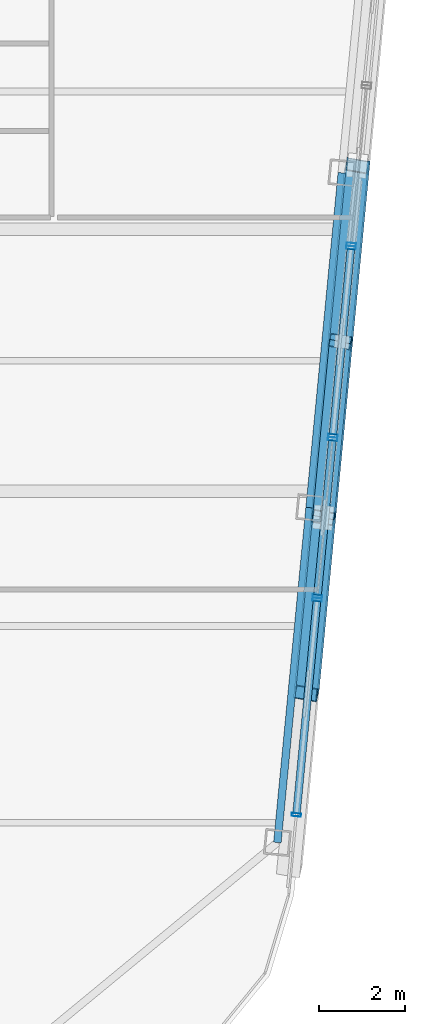
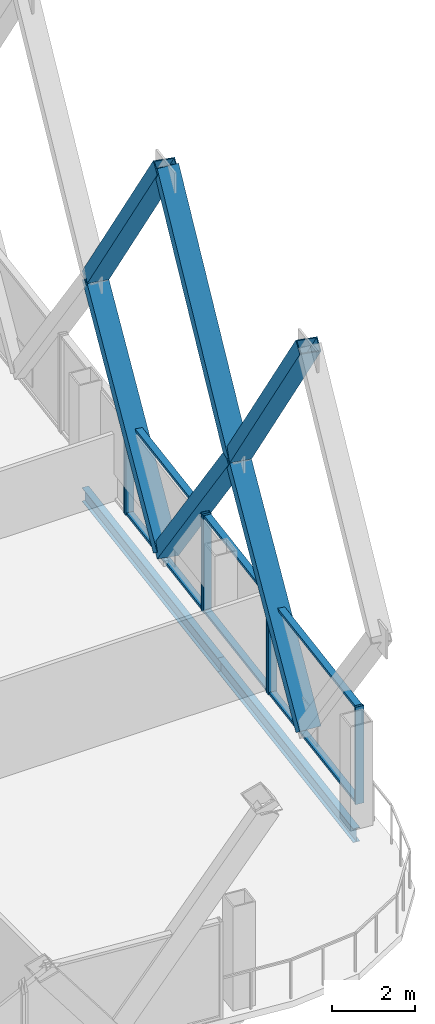
# One storey, part 13 of 25: 19 members, 2 beams, 4 elements without a shape of their own.
"""IFC4 building model written with IfcOpenShell, lengths in metres."""

from ifc_helpers import new_model, si_unit, direction, frame, origin, origin_2d, place, context, subcontext, project, spatial, hollow_rectangle, i_section, extrude, material, layer, layer_set, material_profile, profile_set, type_object, element, aggregate, save


model = new_model("IFC4")

# Units and contexts
model_context = context("Model", 3, precision=1e-05, world=origin(), true_north=direction((0.0, 1.0)))
body_context = subcontext(model_context, "Body", "Model", "MODEL_VIEW")
ifc_project = project(units=[si_unit("LENGTHUNIT", "METRE"), si_unit("AREAUNIT", "SQUARE_METRE"), si_unit("VOLUMEUNIT", "CUBIC_METRE"), si_unit("PLANEANGLEUNIT", "RADIAN"), si_unit("MASSUNIT", "GRAM", prefix="KILO")], contexts=[model_context])

# Site, building, storey
site_placement = place(None, origin())
site = spatial("IfcSite", under=ifc_project, at=site_placement, CompositionType="ELEMENT")
building_placement = place(site_placement, origin())
building = spatial("IfcBuilding", under=site, at=building_placement, Name="Qhalaya Broadcast Tower", CompositionType="ELEMENT")
storey_placement = place(building_placement, frame((0.0, 0.0, 255.050048828125)))
storey = spatial("IfcBuildingStorey", under=building, at=storey_placement, Name="L75", CompositionType="ELEMENT", Elevation=255.050048828125)

# Members
ifc_material_1 = material(Name="Structural Steel ASTM A572 Grade 50", Category="steel")
ifc_material_profile_1 = material_profile(ifc_material_1, hollow_rectangle(XDim=0.3798828125, YDim=0.550048828125, WallThickness=0.02490234375, at=origin_2d()), Name="BOX 380x550x25")
ifc_profile_set_1 = profile_set([ifc_material_profile_1], Name="Structural Steel ASTM A572 Grade 50")
member_type_1 = type_object("IfcMemberType", Name="Exoskeleton Diamond Diagonal Upper EX4", PredefinedType="BRACE", material=ifc_profile_set_1)
member_1_placement = place(storey_placement, frame((20.505615234375, -13.478515625, 0.35986328125), z_axis=(0.058266125563, 0.605364209609, 0.793813096602), x_axis=(-0.171107534, -0.777341068105, 0.605361937725)))
element("IfcMember", 1, at=member_1_placement, inside=storey, type_object=member_type_1, Name="B6 Exoskeleton Diamond Brace E1-D2", PredefinedType="BRACE", context=body_context, shape_type="SweptSolid", body=[
    extrude(hollow_rectangle(XDim=0.3798828125, YDim=0.550048828125, WallThickness=0.02490234375, at=origin_2d()), origin(), (0.0, 0.0, 1.0), 6.79638671875),
])
member_2_placement = place(storey_placement, frame((20.901611328125, -9.3642578125, 5.7548828125), z_axis=(-0.055127452373, -0.572754517502, 0.817871155303), x_axis=(0.17340185175, 0.801178209115, 0.572752368)))
element("IfcMember", 2, at=member_2_placement, inside=storey, type_object=member_type_1, Name="B6 Exoskeleton Diamond Brace E1-D4", PredefinedType="BRACE", context=body_context, shape_type="SweptSolid", body=[
    extrude(hollow_rectangle(XDim=0.3798828125, YDim=0.550048828125, WallThickness=0.02490234375, at=origin_2d()), origin(), (0.0, 0.0, 1.0), 7.183349609375),
])
for number, where, z_axis, x_axis, name in (
    (3, (21.2978515625, -5.25, 0.35986328125), (-0.058301925892, -0.605362942159, 0.793811434597), (0.171153078973, 0.777329359739, 0.60536409709), "B6 Exoskeleton Diamond Brace E2-D1"),
    (4, (21.2978515625, -5.25, 0.35986328125), (0.058300658059, 0.60538569949, 0.793794172392), (-0.171147030491, -0.777313225214, 0.605386524347), "B6 Exoskeleton Diamond Brace E2-D2"),
):
    element("IfcMember", number, at=place(storey_placement, frame(where, z_axis=z_axis, x_axis=x_axis)), inside=storey, type_object=member_type_1, Name=name, PredefinedType="BRACE", context=body_context, shape_type="SweptSolid", body=[
        extrude(hollow_rectangle(XDim=0.3798828125, YDim=0.550048828125, WallThickness=0.02490234375, at=origin_2d()), origin(), (0.0, 0.0, 1.0), 6.79638671875),
    ])
for number, where, z_axis, x_axis, name in (
    (5, (20.901611328125, -9.3642578125, 5.7548828125), (0.055161336321, 0.572753444041, 0.817869622443), (-0.17344881055, -0.801166493771, 0.572754536758), "B6 Exoskeleton Diamond Brace E2-D3"),
    (6, (21.694091796875, -1.135498046875, 5.7548828125), (-0.055160262532, -0.572776281238, 0.817853701519), (0.173442755081, 0.801151701204, 0.572777061664), "B6 Exoskeleton Diamond Brace E2-D4"),
):
    element("IfcMember", number, at=place(storey_placement, frame(where, z_axis=z_axis, x_axis=x_axis)), inside=storey, type_object=member_type_1, Name=name, PredefinedType="BRACE", context=body_context, shape_type="SweptSolid", body=[
        extrude(hollow_rectangle(XDim=0.3798828125, YDim=0.550048828125, WallThickness=0.02490234375, at=origin_2d()), origin(), (0.0, 0.0, 1.0), 7.183349609375),
    ])

# Curtain wall, members
ifc_material_2 = material(Name="Fired Architectural Terracotta", Category="masonry")
ifc_layer_1 = layer(ifc_material_2, 0.219970703125, Name="Fired Architectural Terracotta")
ifc_layer_set_1 = layer_set([ifc_layer_1], Name="Fired Architectural Terracotta")
curtain_wall_type_1 = type_object("IfcCurtainWallType", Name="Block-Cap Unitised Terracotta Spandrel Wall CW-07", PredefinedType="NOTDEFINED", material=ifc_layer_set_1)
curtain_wall_1_placement = place(storey_placement, origin())
curtain_wall_1 = element("IfcCurtainWall", 7, at=curtain_wall_1_placement, inside=storey, type_object=curtain_wall_type_1, Name="L75 Unitised Curtain Wall L75-CW-E1", PredefinedType="NOTDEFINED")
ifc_material_3 = material(Name="Anodised Aluminium 6063-T6", Category="aluminium")
ifc_material_profile_2 = material_profile(ifc_material_3, hollow_rectangle(XDim=0.074951171875, YDim=0.219970703125, WallThickness=0.00390625, at=origin_2d()), Name="ALU-MUL 75x220x4")
ifc_profile_set_2 = profile_set([ifc_material_profile_2], Name="Anodised Aluminium 6063-T6")
member_type_2 = type_object("IfcMemberType", Name="Unitised Curtain-Wall Mullion M01", PredefinedType="MULLION", material=ifc_profile_set_2)
member_3_placement = place(storey_placement, frame((20.272705078125, -16.315185546875, 0.0), z_axis=(0.0, 0.0, 1.0), x_axis=(0.095847607498, 0.995396019751, 0.0)))
member_3 = element("IfcMember", 8, at=member_3_placement, type_object=member_type_2, Name="CW-07 mullion 1", PredefinedType="MULLION", context=body_context, shape_type="SweptSolid", body=[
    extrude(hollow_rectangle(XDim=0.074951171875, YDim=0.219970703125, WallThickness=0.00390625, at=origin_2d()), origin(), (0.0, 0.0, 1.0), 2.85986328125),
])
member_4_placement = place(storey_placement, frame((20.757080078125, -11.283447265625, 0.0), z_axis=(0.0, 0.0, 1.0), x_axis=(0.095847607498, 0.995396019751, 0.0)))
member_4 = element("IfcMember", 9, at=member_4_placement, type_object=member_type_2, Name="CW-07 mullion 2", PredefinedType="MULLION", context=body_context, shape_type="SweptSolid", body=[
    extrude(hollow_rectangle(XDim=0.074951171875, YDim=0.219970703125, WallThickness=0.00390625, at=origin_2d()), origin(), (0.0, 0.0, 1.0), 2.85986328125),
])

ifc_material_4 = material(Name="Solar-Control Low-E Triple Glazing", Category="glass")
ifc_layer_2 = layer(ifc_material_4, 0.219970703125, Name="Solar-Control Low-E Triple Glazing")
ifc_layer_set_2 = layer_set([ifc_layer_2], Name="Solar-Control Low-E Triple Glazing")
curtain_wall_type_2 = type_object("IfcCurtainWallType", Name="High-Altitude Upper-Shaft Triple Low-E Curtain Wall CW-04", PredefinedType="NOTDEFINED", material=ifc_layer_set_2)
curtain_wall_2_placement = place(storey_placement, origin())
curtain_wall_2 = element("IfcCurtainWall", 10, at=curtain_wall_2_placement, inside=storey, type_object=curtain_wall_type_2, Name="L75 Unitised Curtain Wall L75-CW-E2", PredefinedType="NOTDEFINED")
member_5_placement = place(storey_placement, frame((20.764404296875, -11.208740234375, 0.0), z_axis=(0.0, 0.0, 1.0), x_axis=(0.095839673292, 0.995396783712, 0.0)))
member_5 = element("IfcMember", 11, at=member_5_placement, type_object=member_type_2, Name="CW-04 mullion 1", PredefinedType="MULLION", context=body_context, shape_type="SweptSolid", body=[
    extrude(hollow_rectangle(XDim=0.074951171875, YDim=0.219970703125, WallThickness=0.00390625, at=origin_2d()), origin(), (0.0, 0.0, 1.0), 2.85986328125),
])
member_6_placement = place(storey_placement, frame((21.11865234375, -7.52783203125, 0.0), z_axis=(0.0, 0.0, 1.0), x_axis=(0.095839673292, 0.995396783712, 0.0)))
member_6 = element("IfcMember", 12, at=member_6_placement, type_object=member_type_2, Name="CW-04 mullion 2", PredefinedType="MULLION", context=body_context, shape_type="SweptSolid", body=[
    extrude(hollow_rectangle(XDim=0.074951171875, YDim=0.219970703125, WallThickness=0.00390625, at=origin_2d()), origin(), (0.0, 0.0, 1.0), 2.85986328125),
])

curtain_wall_3_placement = place(storey_placement, origin())
curtain_wall_3 = element("IfcCurtainWall", 13, at=curtain_wall_3_placement, inside=storey, type_object=curtain_wall_type_1, Name="L75 Unitised Curtain Wall L75-CW-E3", PredefinedType="NOTDEFINED")
member_7_placement = place(storey_placement, frame((21.1259765625, -7.453125, 0.0), z_axis=(0.0, 0.0, 1.0), x_axis=(0.09586123001, 0.995394707933, 0.0)))
member_7 = element("IfcMember", 14, at=member_7_placement, type_object=member_type_2, Name="CW-07 mullion 1", PredefinedType="MULLION", context=body_context, shape_type="SweptSolid", body=[
    extrude(hollow_rectangle(XDim=0.074951171875, YDim=0.219970703125, WallThickness=0.00390625, at=origin_2d()), origin(), (0.0, 0.0, 1.0), 2.85986328125),
])
member_8_placement = place(storey_placement, frame((21.549560546875, -3.054443359375, 0.0), z_axis=(0.0, 0.0, 1.0), x_axis=(0.09586123001, 0.995394707933, 0.0)))
member_8 = element("IfcMember", 15, at=member_8_placement, type_object=member_type_2, Name="CW-07 mullion 2", PredefinedType="MULLION", context=body_context, shape_type="SweptSolid", body=[
    extrude(hollow_rectangle(XDim=0.074951171875, YDim=0.219970703125, WallThickness=0.00390625, at=origin_2d()), origin(), (0.0, 0.0, 1.0), 2.85986328125),
])

# Curtain wall, member
curtain_wall_4_placement = place(storey_placement, origin())
curtain_wall_4 = element("IfcCurtainWall", 16, at=curtain_wall_4_placement, inside=storey, type_object=curtain_wall_type_2, Name="L75 Unitised Curtain Wall L75-CW-E4", PredefinedType="NOTDEFINED")
member_9_placement = place(storey_placement, frame((21.556640625, -2.979736328125, 0.0), z_axis=(0.0, 0.0, 1.0), x_axis=(0.095839673292, 0.995396783712, 0.0)))
member_9 = element("IfcMember", 17, at=member_9_placement, type_object=member_type_2, Name="CW-04 mullion 1", PredefinedType="MULLION", context=body_context, shape_type="SweptSolid", body=[
    extrude(hollow_rectangle(XDim=0.074951171875, YDim=0.219970703125, WallThickness=0.00390625, at=origin_2d()), origin(), (0.0, 0.0, 1.0), 2.85986328125),
])
aggregate(curtain_wall_4, [member_9])

# Member
ifc_material_profile_3 = material_profile(ifc_material_3, hollow_rectangle(XDim=0.074951171875, YDim=0.179931640625, WallThickness=0.00390625, at=origin_2d()), Name="ALU-TRN 75x180x4")
ifc_profile_set_3 = profile_set([ifc_material_profile_3], Name="Anodised Aluminium 6063-T6")
member_type_3 = type_object("IfcMemberType", Name="Unitised Curtain-Wall Transom T01", PredefinedType="USERDEFINED", material=ifc_profile_set_3)
member_10_placement = place(storey_placement, frame((20.276123046875, -16.27783203125, 0.037353515625), z_axis=(0.095838509296, 0.995396895784, 0.0), x_axis=(0.0, 0.0, 1.0)))
member_10 = element("IfcMember", 18, at=member_10_placement, type_object=member_type_3, Name="CW-07 transom 1.1", ObjectType="TRANSOM", PredefinedType="USERDEFINED", context=body_context, shape_type="SweptSolid", body=[
    extrude(hollow_rectangle(XDim=0.074951171875, YDim=0.179931640625, WallThickness=0.00390625, at=origin_2d()), origin(), (0.0, 0.0, 1.0), 4.980224609375),
])

member_11_placement = place(storey_placement, frame((20.276123046875, -16.27783203125, 2.822509765625), z_axis=(0.095838509296, 0.995396895784, 0.0), x_axis=(0.0, 0.0, 1.0)))
member_11 = element("IfcMember", 19, at=member_11_placement, type_object=member_type_3, Name="CW-07 transom 1.2", ObjectType="TRANSOM", PredefinedType="USERDEFINED", context=body_context, shape_type="SweptSolid", body=[
    extrude(hollow_rectangle(XDim=0.074951171875, YDim=0.179931640625, WallThickness=0.00390625, at=origin_2d()), origin(), (0.0, 0.0, 1.0), 4.980224609375),
])

aggregate(curtain_wall_1, [member_3, member_4, member_10, member_11])

member_12_placement = place(storey_placement, frame((20.767822265625, -11.17138671875, 0.037353515625), z_axis=(0.095820260228, 0.995398652666, 0.0), x_axis=(0.0, 0.0, 1.0)))
member_12 = element("IfcMember", 20, at=member_12_placement, type_object=member_type_3, Name="CW-04 transom 1.1", ObjectType="TRANSOM", PredefinedType="USERDEFINED", context=body_context, shape_type="SweptSolid", body=[
    extrude(hollow_rectangle(XDim=0.074951171875, YDim=0.179931640625, WallThickness=0.00390625, at=origin_2d()), origin(), (0.0, 0.0, 1.0), 3.623046875),
])

member_13_placement = place(storey_placement, frame((20.767822265625, -11.17138671875, 2.822509765625), z_axis=(0.095820260228, 0.995398652666, 0.0), x_axis=(0.0, 0.0, 1.0)))
member_13 = element("IfcMember", 21, at=member_13_placement, type_object=member_type_3, Name="CW-04 transom 1.2", ObjectType="TRANSOM", PredefinedType="USERDEFINED", context=body_context, shape_type="SweptSolid", body=[
    extrude(hollow_rectangle(XDim=0.074951171875, YDim=0.179931640625, WallThickness=0.00390625, at=origin_2d()), origin(), (0.0, 0.0, 1.0), 3.623046875),
])

aggregate(curtain_wall_2, [member_5, member_6, member_12, member_13])

member_14_placement = place(storey_placement, frame((21.12939453125, -7.415771484375, 0.037353515625), z_axis=(0.095880537478, 0.995392848343, 0.0), x_axis=(0.0, 0.0, 1.0)))
member_14 = element("IfcMember", 22, at=member_14_placement, type_object=member_type_3, Name="CW-07 transom 1.1", ObjectType="TRANSOM", PredefinedType="USERDEFINED", context=body_context, shape_type="SweptSolid", body=[
    extrude(hollow_rectangle(XDim=0.074951171875, YDim=0.179931640625, WallThickness=0.00390625, at=origin_2d()), origin(), (0.0, 0.0, 1.0), 4.343994140625),
])

member_15_placement = place(storey_placement, frame((21.12939453125, -7.415771484375, 2.822509765625), z_axis=(0.095880537478, 0.995392848343, 0.0), x_axis=(0.0, 0.0, 1.0)))
member_15 = element("IfcMember", 23, at=member_15_placement, type_object=member_type_3, Name="CW-07 transom 1.2", ObjectType="TRANSOM", PredefinedType="USERDEFINED", context=body_context, shape_type="SweptSolid", body=[
    extrude(hollow_rectangle(XDim=0.074951171875, YDim=0.179931640625, WallThickness=0.00390625, at=origin_2d()), origin(), (0.0, 0.0, 1.0), 4.343994140625),
])

aggregate(curtain_wall_3, [member_7, member_8, member_14, member_15])

# Beams
ifc_material_5 = material(Name="Structural Steel ASTM A992 Grade 50", Category="steel")
ifc_material_profile_4 = material_profile(ifc_material_5, i_section(OverallWidth=0.177978515625, OverallDepth=0.406005859375, WebThickness=0.0078125, FlangeThickness=0.0126953125, at=origin_2d()), Name="W16X40")
ifc_profile_set_4 = profile_set([ifc_material_profile_4], Name="Structural Steel ASTM A992 Grade 50")
beam_type = type_object("IfcBeamType", Name="Upper Perimeter Spandrel Beam SP2", PredefinedType="SPANDREL", material=ifc_profile_set_4)
beam_1_placement = place(storey_placement, frame((19.82861328125, -16.962890625, -0.39306640625), z_axis=(0.095837184179, 0.995397023367, 0.0), x_axis=(-0.995397023367, 0.095837184179, 0.0)))
element("IfcBeam", 24, at=beam_1_placement, inside=storey, type_object=beam_type, Name="L75 SP2 L75-SPR-05", PredefinedType="SPANDREL", context=body_context, shape_type="SweptSolid", body=[
    extrude(i_section(OverallWidth=0.177978515625, OverallDepth=0.406005859375, WebThickness=0.0078125, FlangeThickness=0.0126953125, at=origin_2d()), origin(), (0.0, 0.0, 1.0), 7.866455078125),
])
beam_2_placement = place(storey_placement, frame((20.58251953125, -9.132568359375, -0.39306640625), z_axis=(0.095834223619, 0.995397308407, 0.0), x_axis=(-0.995397308407, 0.095834223619, 0.0)))
element("IfcBeam", 25, at=beam_2_placement, inside=storey, type_object=beam_type, Name="L75 SP2 L75-SPR-06", PredefinedType="SPANDREL", context=body_context, shape_type="SweptSolid", body=[
    extrude(i_section(OverallWidth=0.177978515625, OverallDepth=0.406005859375, WebThickness=0.0078125, FlangeThickness=0.0126953125, at=origin_2d()), origin(), (0.0, 0.0, 1.0), 7.86669921875),
])

save(model, "model.ifc")
